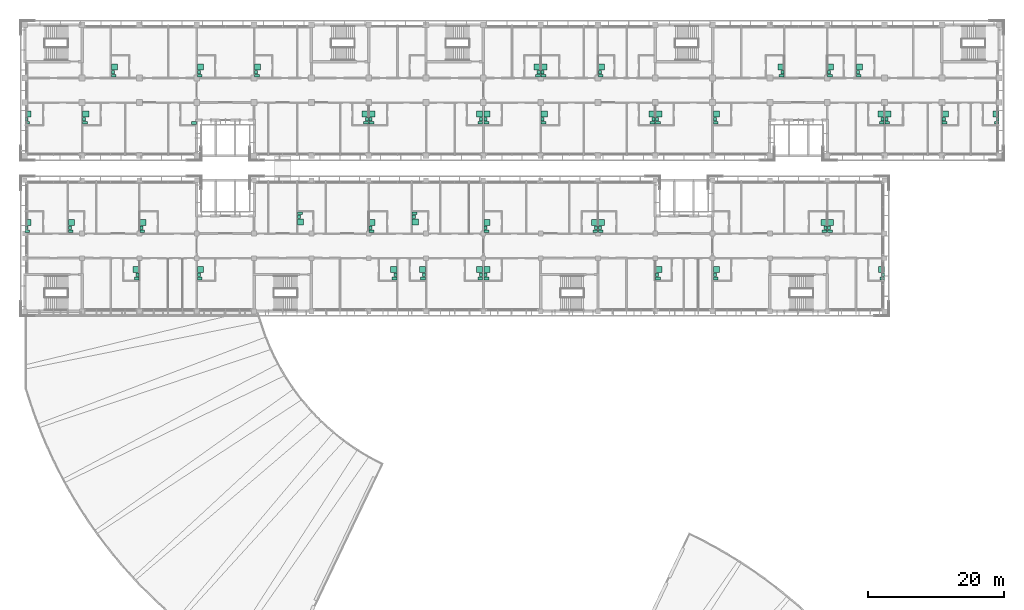
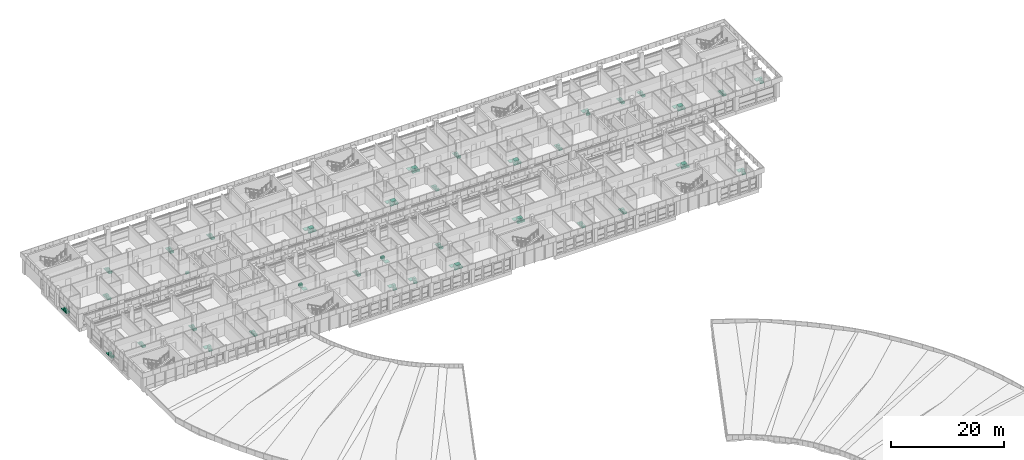
# One storey, part 74 of 74: 130 sanitary terminals.
"""IFC4 building model written with IfcOpenShell, lengths in metres."""

from ifc_helpers import new_model, si_unit, direction, frame, origin, origin_2d, place, context, subcontext, project, spatial, rectangle, extrude, material, type_object, element, save


model = new_model("IFC4")

# Units and contexts
model_context = context("Model", 3, precision=1e-05, world=origin(), true_north=direction((0.0, 1.0)))
body_context = subcontext(model_context, "Body", "Model", "MODEL_VIEW")
ifc_project = project(units=[si_unit("LENGTHUNIT", "METRE"), si_unit("AREAUNIT", "SQUARE_METRE"), si_unit("VOLUMEUNIT", "CUBIC_METRE"), si_unit("PLANEANGLEUNIT", "RADIAN"), si_unit("MASSUNIT", "GRAM", prefix="KILO")], contexts=[model_context])

# Site, building, storey
site_placement = place(None, origin())
site = spatial("IfcSite", under=ifc_project, at=site_placement, CompositionType="ELEMENT")
building_placement = place(site_placement, origin())
building = spatial("IfcBuilding", under=site, at=building_placement, Name="Bougainvillea Quay General Hospital", CompositionType="ELEMENT")
storey_placement = place(building_placement, frame((0.0, 0.0, 21.0)))
storey = spatial("IfcBuildingStorey", under=building, at=storey_placement, Name="L04", CompositionType="ELEMENT", Elevation=21.0)

# Sanitary terminals
ifc_material = material(Name="Vitreous china")
sanitary_terminal_type_1 = type_object("IfcSanitaryTerminalType", Name="Shower tray 900x900", PredefinedType="SHOWER", material=ifc_material)
for number, where, z_axis, x_axis, name in (
    (1, (42.449951171875, 146.52490234375, 0.0), (0.0, 0.0, 1.0), (0.0, 1.0, 0.0), "Shower tray"),
    (2, (50.925048828125, 146.52490234375, 0.0), (0.0, 0.0, 1.0), (0.0, 1.0, 0.0), "Shower tray"),
    (3, (55.14990234375, 153.425048828125, 0.0), (0.0, 0.0, 1.0), (0.0, 1.0, 0.0), "Shower tray"),
    (4, (67.75, 153.425048828125, 0.0), (0.0, 0.0, 1.0), (0.0, 1.0, 0.0), "Shower tray"),
    (5, (76.125, 153.425048828125, 0.0), (0.0, 0.0, 1.0), (0.0, 1.0, 0.0), "Shower tray"),
    (6, (91.89990234375, 146.52490234375, 0.0), (0.0, 0.0, 1.0), (0.0, -1.0, 0.0), "Shower tray"),
    (7, (92.89990234375, 146.52490234375, 0.0), (0.0, 0.0, 1.0), (0.0, 1.0, 0.0), "Shower tray"),
    (8, (108.64990234375, 146.52490234375, 0.0), (0.0, 0.0, 1.0), (0.0, -1.0, 0.0), "Shower tray"),
    (9, (109.75, 146.52490234375, 0.0), (0.0, 0.0, 1.0), (0.0, 1.0, 0.0), "Shower tray"),
    (10, (118.125, 146.52490234375, 0.0), (0.0, 0.0, 1.0), (0.0, 1.0, 0.0), "Shower tray"),
    (11, (133.89990234375, 146.52490234375, 0.0), (0.0, 0.0, 1.0), (0.0, -1.0, 0.0), "Shower tray"),
    (12, (134.89990234375, 146.52490234375, 0.0), (0.0, 0.0, 1.0), (0.0, 1.0, 0.0), "Shower tray"),
    (13, (117.10009765625, 153.425048828125, 0.0), (0.0, 0.0, 1.0), (0.0, -1.0, 0.0), "Shower tray"),
    (14, (118.10009765625, 153.425048828125, 0.0), (0.0, 0.0, 1.0), (0.0, 1.0, 0.0), "Shower tray"),
    (15, (126.5, 153.425048828125, 0.0), (0.0, 0.0, 1.0), (0.0, 1.0, 0.0), "Shower tray"),
    (16, (143.35009765625, 146.52490234375, 0.0), (0.0, 0.0, 1.0), (0.0, 1.0, 0.0), "Shower tray"),
    (17, (152.800048828125, 153.425048828125, 0.0), (0.0, 0.0, 1.0), (0.0, -1.0, 0.0), "Shower tray"),
    (18, (160.10009765625, 153.425048828125, 0.0), (0.0, 0.0, 1.0), (0.0, 1.0, 0.0), "Shower tray"),
    (19, (164.324951171875, 153.425048828125, 0.0), (0.0, 0.0, 1.0), (0.0, 1.0, 0.0), "Shower tray"),
    (20, (167.5, 146.52490234375, 0.0), (0.0, 0.0, 1.0), (0.0, -1.0, 0.0), "Shower tray"),
    (21, (168.5, 146.52490234375, 0.0), (0.0, 0.0, 1.0), (0.0, 1.0, 0.0), "Shower tray"),
    (22, (176.89990234375, 146.52490234375, 0.0), (0.0, 0.0, 1.0), (0.0, 1.0, 0.0), "Shower tray"),
    (23, (184.35009765625, 146.52490234375, 0.0), (0.0, 0.0, 1.0), (0.0, -1.0, 0.0), "Shower tray"),
    (24, (42.449951171875, 130.625, 0.0), (0.0, 0.0, 1.0), (0.0, 1.0, 0.0), "Shower tray"),
    (25, (48.824951171875, 130.625, 0.0), (0.0, 0.0, 1.0), (0.0, 1.0, 0.0), "Shower tray"),
    (26, (59.300048828125, 130.625, 0.0), (0.0, 0.0, 1.0), (0.0, 1.0, 0.0), "Shower tray"),
    (27, (58.300048828125, 123.72509765625, 0.0), (0.0, 0.0, 1.0), (0.0, -1.0, 0.0), "Shower tray"),
    (28, (67.75, 123.72509765625, 0.0), (0.0, 0.0, 1.0), (0.0, 1.0, 0.0), "Shower tray"),
    (29, (82.425048828125, 130.675048828125, 0.0), (0.0, 0.0, 1.0), (0.0, 1.0, 0.0), "Shower tray"),
    (30, (92.89990234375, 130.625, 0.0), (0.0, 0.0, 1.0), (0.0, 1.0, 0.0), "Shower tray"),
    (31, (99.22509765625, 130.675048828125, 0.0), (0.0, 0.0, 1.0), (0.0, 1.0, 0.0), "Shower tray"),
    (32, (96.074951171875, 123.72509765625, 0.0), (0.0, 0.0, 1.0), (0.0, -1.0, 0.0), "Shower tray"),
    (33, (100.27490234375, 123.72509765625, 0.0), (0.0, 0.0, 1.0), (0.0, -1.0, 0.0), "Shower tray"),
    (34, (108.64990234375, 123.72509765625, 0.0), (0.0, 0.0, 1.0), (0.0, -1.0, 0.0), "Shower tray"),
    (35, (109.75, 123.72509765625, 0.0), (0.0, 0.0, 1.0), (0.0, 1.0, 0.0), "Shower tray"),
    (36, (109.75, 130.625, 0.0), (0.0, 0.0, 1.0), (0.0, 1.0, 0.0), "Shower tray"),
    (37, (125.5, 130.625, 0.0), (0.0, 0.0, 1.0), (0.0, -1.0, 0.0), "Shower tray"),
    (38, (126.5, 130.625, 0.0), (0.0, 0.0, 1.0), (0.0, 1.0, 0.0), "Shower tray"),
    (39, (134.89990234375, 123.72509765625, 0.0), (0.0, 0.0, 1.0), (0.0, 1.0, 0.0), "Shower tray"),
    (40, (143.35009765625, 123.72509765625, 0.0), (0.0, 0.0, 1.0), (0.0, 1.0, 0.0), "Shower tray"),
    (41, (159.10009765625, 130.625, 0.0), (0.0, 0.0, 1.0), (0.0, -1.0, 0.0), "Shower tray"),
    (42, (160.10009765625, 130.625, 0.0), (0.0, 0.0, 1.0), (0.0, 1.0, 0.0), "Shower tray"),
    (43, (167.550048828125, 123.72509765625, 0.0), (0.0, 0.0, 1.0), (0.0, -1.0, 0.0), "Shower tray"),
):
    element("IfcSanitaryTerminal", number, at=place(storey_placement, frame(where, z_axis=z_axis, x_axis=x_axis)), inside=storey, type_object=sanitary_terminal_type_1, Name=name, PredefinedType="SHOWER", context=body_context, shape_type="SweptSolid", body=[
        extrude(rectangle(XDim=0.89990234375, YDim=0.89990234375, at=origin_2d()), origin(), (0.0, 0.0, 1.0), 0.10009765625),
    ])
sanitary_terminal_type_2 = type_object("IfcSanitaryTerminalType", Name="Wall-hung toilet pan 400x700", PredefinedType="TOILETPAN", material=ifc_material)
for number, where, z_axis, x_axis, name in (
    (44, (42.35009765625, 145.22509765625, 0.0), (0.0, 0.0, 1.0), (0.0, 1.0, 0.0), "Wall-hung toilet pan"),
    (45, (50.824951171875, 145.22509765625, 0.0), (0.0, 0.0, 1.0), (0.0, 1.0, 0.0), "Wall-hung toilet pan"),
    (46, (66.810302734375, 145.2138671875, 0.0), (0.0, 0.0, 1.0), (0.0, -1.0, 0.0), "Wall-hung toilet pan"),
    (47, (55.050048828125, 152.125, 0.0), (0.0, 0.0, 1.0), (0.0, 1.0, 0.0), "Wall-hung toilet pan"),
    (48, (67.64990234375, 152.125, 0.0), (0.0, 0.0, 1.0), (0.0, 1.0, 0.0), "Wall-hung toilet pan"),
    (49, (76.02490234375, 152.125, 0.0), (0.0, 0.0, 1.0), (0.0, 1.0, 0.0), "Wall-hung toilet pan"),
    (50, (92.0, 145.22509765625, 0.0), (0.0, 0.0, 1.0), (0.0, -1.0, 0.0), "Wall-hung toilet pan"),
    (51, (92.800048828125, 145.22509765625, 0.0), (0.0, 0.0, 1.0), (0.0, 1.0, 0.0), "Wall-hung toilet pan"),
    (52, (108.75, 145.22509765625, 0.0), (0.0, 0.0, 1.0), (0.0, -1.0, 0.0), "Wall-hung toilet pan"),
    (53, (109.64990234375, 145.22509765625, 0.0), (0.0, 0.0, 1.0), (0.0, 1.0, 0.0), "Wall-hung toilet pan"),
    (54, (118.02490234375, 145.22509765625, 0.0), (0.0, 0.0, 1.0), (0.0, 1.0, 0.0), "Wall-hung toilet pan"),
    (55, (134.0, 145.22509765625, 0.0), (0.0, 0.0, 1.0), (0.0, -1.0, 0.0), "Wall-hung toilet pan"),
    (56, (134.800048828125, 145.22509765625, 0.0), (0.0, 0.0, 1.0), (0.0, 1.0, 0.0), "Wall-hung toilet pan"),
    (57, (117.199951171875, 152.125, 0.0), (0.0, 0.0, 1.0), (0.0, -1.0, 0.0), "Wall-hung toilet pan"),
    (58, (118.0, 152.125, 0.0), (0.0, 0.0, 1.0), (0.0, 1.0, 0.0), "Wall-hung toilet pan"),
    (59, (126.39990234375, 152.125, 0.0), (0.0, 0.0, 1.0), (0.0, 1.0, 0.0), "Wall-hung toilet pan"),
    (60, (143.25, 145.22509765625, 0.0), (0.0, 0.0, 1.0), (0.0, 1.0, 0.0), "Wall-hung toilet pan"),
    (61, (152.89990234375, 152.125, 0.0), (0.0, 0.0, 1.0), (0.0, -1.0, 0.0), "Wall-hung toilet pan"),
    (62, (160.0, 152.125, 0.0), (0.0, 0.0, 1.0), (0.0, 1.0, 0.0), "Wall-hung toilet pan"),
    (63, (164.22509765625, 152.125, 0.0), (0.0, 0.0, 1.0), (0.0, 1.0, 0.0), "Wall-hung toilet pan"),
    (64, (167.60009765625, 145.22509765625, 0.0), (0.0, 0.0, 1.0), (0.0, -1.0, 0.0), "Wall-hung toilet pan"),
    (65, (168.39990234375, 145.22509765625, 0.0), (0.0, 0.0, 1.0), (0.0, 1.0, 0.0), "Wall-hung toilet pan"),
    (66, (176.800048828125, 145.22509765625, 0.0), (0.0, 0.0, 1.0), (0.0, 1.0, 0.0), "Wall-hung toilet pan"),
    (67, (184.449951171875, 145.22509765625, 0.0), (0.0, 0.0, 1.0), (0.0, -1.0, 0.0), "Wall-hung toilet pan"),
    (68, (42.35009765625, 129.324951171875, 0.0), (0.0, 0.0, 1.0), (0.0, 1.0, 0.0), "Wall-hung toilet pan"),
    (69, (48.72509765625, 129.324951171875, 0.0), (0.0, 0.0, 1.0), (0.0, 1.0, 0.0), "Wall-hung toilet pan"),
    (70, (59.199951171875, 129.324951171875, 0.0), (0.0, 0.0, 1.0), (0.0, 1.0, 0.0), "Wall-hung toilet pan"),
    (71, (58.39990234375, 122.425048828125, 0.0), (0.0, 0.0, 1.0), (0.0, -1.0, 0.0), "Wall-hung toilet pan"),
    (72, (67.64990234375, 122.425048828125, 0.0), (0.0, 0.0, 1.0), (0.0, 1.0, 0.0), "Wall-hung toilet pan"),
    (73, (82.324951171875, 131.97509765625, 0.0), (0.0, 0.0, 1.0), (0.0, 1.0, 0.0), "Wall-hung toilet pan"),
    (74, (92.800048828125, 129.324951171875, 0.0), (0.0, 0.0, 1.0), (0.0, 1.0, 0.0), "Wall-hung toilet pan"),
    (75, (99.125, 131.97509765625, 0.0), (0.0, 0.0, 1.0), (0.0, 1.0, 0.0), "Wall-hung toilet pan"),
    (76, (96.175048828125, 122.425048828125, 0.0), (0.0, 0.0, 1.0), (0.0, -1.0, 0.0), "Wall-hung toilet pan"),
    (77, (100.375, 122.425048828125, 0.0), (0.0, 0.0, 1.0), (0.0, -1.0, 0.0), "Wall-hung toilet pan"),
    (78, (108.75, 122.425048828125, 0.0), (0.0, 0.0, 1.0), (0.0, -1.0, 0.0), "Wall-hung toilet pan"),
    (79, (109.64990234375, 122.425048828125, 0.0), (0.0, 0.0, 1.0), (0.0, 1.0, 0.0), "Wall-hung toilet pan"),
    (80, (109.64990234375, 129.324951171875, 0.0), (0.0, 0.0, 1.0), (0.0, 1.0, 0.0), "Wall-hung toilet pan"),
    (81, (125.60009765625, 129.324951171875, 0.0), (0.0, 0.0, 1.0), (0.0, -1.0, 0.0), "Wall-hung toilet pan"),
    (82, (126.39990234375, 129.324951171875, 0.0), (0.0, 0.0, 1.0), (0.0, 1.0, 0.0), "Wall-hung toilet pan"),
    (83, (134.800048828125, 122.425048828125, 0.0), (0.0, 0.0, 1.0), (0.0, 1.0, 0.0), "Wall-hung toilet pan"),
    (84, (143.25, 122.425048828125, 0.0), (0.0, 0.0, 1.0), (0.0, 1.0, 0.0), "Wall-hung toilet pan"),
    (85, (159.199951171875, 129.324951171875, 0.0), (0.0, 0.0, 1.0), (0.0, -1.0, 0.0), "Wall-hung toilet pan"),
    (86, (160.0, 129.324951171875, 0.0), (0.0, 0.0, 1.0), (0.0, 1.0, 0.0), "Wall-hung toilet pan"),
    (87, (167.64990234375, 122.425048828125, 0.0), (0.0, 0.0, 1.0), (0.0, -1.0, 0.0), "Wall-hung toilet pan"),
):
    element("IfcSanitaryTerminal", number, at=place(storey_placement, frame(where, z_axis=z_axis, x_axis=x_axis)), inside=storey, type_object=sanitary_terminal_type_2, Name=name, PredefinedType="TOILETPAN", context=body_context, shape_type="SweptSolid", body=[
        extrude(rectangle(XDim=0.39990234375, YDim=0.699951171875, at=origin_2d()), origin(), (0.0, 0.0, 1.0), 0.39990234375),
    ])
sanitary_terminal_type_3 = type_object("IfcSanitaryTerminalType", Name="Wash hand basin 550x450", PredefinedType="WASHHANDBASIN", material=ifc_material)
for number, where, z_axis, x_axis, name in (
    (88, (42.22509765625, 145.75, 0.0), (0.0, 0.0, 1.0), (0.0, 1.0, 0.0), "Wash hand basin"),
    (89, (50.699951171875, 145.75, 0.0), (0.0, 0.0, 1.0), (0.0, 1.0, 0.0), "Wash hand basin"),
    (90, (54.925048828125, 152.64990234375, 0.0), (0.0, 0.0, 1.0), (0.0, 1.0, 0.0), "Wash hand basin"),
    (91, (67.52490234375, 152.64990234375, 0.0), (0.0, 0.0, 1.0), (0.0, 1.0, 0.0), "Wash hand basin"),
    (92, (75.89990234375, 152.64990234375, 0.0), (0.0, 0.0, 1.0), (0.0, 1.0, 0.0), "Wash hand basin"),
    (93, (92.125, 145.75, 0.0), (0.0, 0.0, 1.0), (0.0, -1.0, 0.0), "Wash hand basin"),
    (94, (92.675048828125, 145.75, 0.0), (0.0, 0.0, 1.0), (0.0, 1.0, 0.0), "Wash hand basin"),
    (95, (108.875, 145.75, 0.0), (0.0, 0.0, 1.0), (0.0, -1.0, 0.0), "Wash hand basin"),
    (96, (109.52490234375, 145.75, 0.0), (0.0, 0.0, 1.0), (0.0, 1.0, 0.0), "Wash hand basin"),
    (97, (117.89990234375, 145.75, 0.0), (0.0, 0.0, 1.0), (0.0, 1.0, 0.0), "Wash hand basin"),
    (98, (134.125, 145.75, 0.0), (0.0, 0.0, 1.0), (0.0, -1.0, 0.0), "Wash hand basin"),
    (99, (134.675048828125, 145.75, 0.0), (0.0, 0.0, 1.0), (0.0, 1.0, 0.0), "Wash hand basin"),
    (100, (117.324951171875, 152.64990234375, 0.0), (0.0, 0.0, 1.0), (0.0, -1.0, 0.0), "Wash hand basin"),
    (101, (117.875, 152.64990234375, 0.0), (0.0, 0.0, 1.0), (0.0, 1.0, 0.0), "Wash hand basin"),
    (102, (126.27490234375, 152.64990234375, 0.0), (0.0, 0.0, 1.0), (0.0, 1.0, 0.0), "Wash hand basin"),
    (103, (143.125, 145.75, 0.0), (0.0, 0.0, 1.0), (0.0, 1.0, 0.0), "Wash hand basin"),
    (104, (153.02490234375, 152.64990234375, 0.0), (0.0, 0.0, 1.0), (0.0, -1.0, 0.0), "Wash hand basin"),
    (105, (159.875, 152.64990234375, 0.0), (0.0, 0.0, 1.0), (0.0, 1.0, 0.0), "Wash hand basin"),
    (106, (164.10009765625, 152.64990234375, 0.0), (0.0, 0.0, 1.0), (0.0, 1.0, 0.0), "Wash hand basin"),
    (107, (167.72509765625, 145.75, 0.0), (0.0, 0.0, 1.0), (0.0, -1.0, 0.0), "Wash hand basin"),
    (108, (168.27490234375, 145.75, 0.0), (0.0, 0.0, 1.0), (0.0, 1.0, 0.0), "Wash hand basin"),
    (109, (176.675048828125, 145.75, 0.0), (0.0, 0.0, 1.0), (0.0, 1.0, 0.0), "Wash hand basin"),
    (110, (184.574951171875, 145.75, 0.0), (0.0, 0.0, 1.0), (0.0, -1.0, 0.0), "Wash hand basin"),
    (111, (42.22509765625, 129.85009765625, 0.0), (0.0, 0.0, 1.0), (0.0, 1.0, 0.0), "Wash hand basin"),
    (112, (48.60009765625, 129.85009765625, 0.0), (0.0, 0.0, 1.0), (0.0, 1.0, 0.0), "Wash hand basin"),
    (113, (59.074951171875, 129.85009765625, 0.0), (0.0, 0.0, 1.0), (0.0, 1.0, 0.0), "Wash hand basin"),
    (114, (58.52490234375, 122.949951171875, 0.0), (0.0, 0.0, 1.0), (0.0, -1.0, 0.0), "Wash hand basin"),
    (115, (67.52490234375, 122.949951171875, 0.0), (0.0, 0.0, 1.0), (0.0, 1.0, 0.0), "Wash hand basin"),
    (116, (82.199951171875, 131.449951171875, 0.0), (0.0, 0.0, 1.0), (0.0, 1.0, 0.0), "Wash hand basin"),
    (117, (92.675048828125, 129.85009765625, 0.0), (0.0, 0.0, 1.0), (0.0, 1.0, 0.0), "Wash hand basin"),
    (118, (99.0, 131.449951171875, 0.0), (0.0, 0.0, 1.0), (0.0, 1.0, 0.0), "Wash hand basin"),
    (119, (96.300048828125, 122.949951171875, 0.0), (0.0, 0.0, 1.0), (0.0, -1.0, 0.0), "Wash hand basin"),
    (120, (100.5, 122.949951171875, 0.0), (0.0, 0.0, 1.0), (0.0, -1.0, 0.0), "Wash hand basin"),
    (121, (108.875, 122.949951171875, 0.0), (0.0, 0.0, 1.0), (0.0, -1.0, 0.0), "Wash hand basin"),
    (122, (109.52490234375, 122.949951171875, 0.0), (0.0, 0.0, 1.0), (0.0, 1.0, 0.0), "Wash hand basin"),
    (123, (109.52490234375, 129.85009765625, 0.0), (0.0, 0.0, 1.0), (0.0, 1.0, 0.0), "Wash hand basin"),
    (124, (125.72509765625, 129.85009765625, 0.0), (0.0, 0.0, 1.0), (0.0, -1.0, 0.0), "Wash hand basin"),
    (125, (126.27490234375, 129.85009765625, 0.0), (0.0, 0.0, 1.0), (0.0, 1.0, 0.0), "Wash hand basin"),
    (126, (134.675048828125, 122.949951171875, 0.0), (0.0, 0.0, 1.0), (0.0, 1.0, 0.0), "Wash hand basin"),
    (127, (143.125, 122.949951171875, 0.0), (0.0, 0.0, 1.0), (0.0, 1.0, 0.0), "Wash hand basin"),
    (128, (159.324951171875, 129.85009765625, 0.0), (0.0, 0.0, 1.0), (0.0, -1.0, 0.0), "Wash hand basin"),
    (129, (159.875, 129.85009765625, 0.0), (0.0, 0.0, 1.0), (0.0, 1.0, 0.0), "Wash hand basin"),
    (130, (167.77490234375, 122.949951171875, 0.0), (0.0, 0.0, 1.0), (0.0, -1.0, 0.0), "Wash hand basin"),
):
    element("IfcSanitaryTerminal", number, at=place(storey_placement, frame(where, z_axis=z_axis, x_axis=x_axis)), inside=storey, type_object=sanitary_terminal_type_3, Name=name, PredefinedType="WASHHANDBASIN", context=body_context, shape_type="SweptSolid", body=[
        extrude(rectangle(XDim=0.550048828125, YDim=0.449951171875, at=origin_2d()), origin(), (0.0, 0.0, 1.0), 0.85009765625),
    ])

save(model, "model.ifc")
